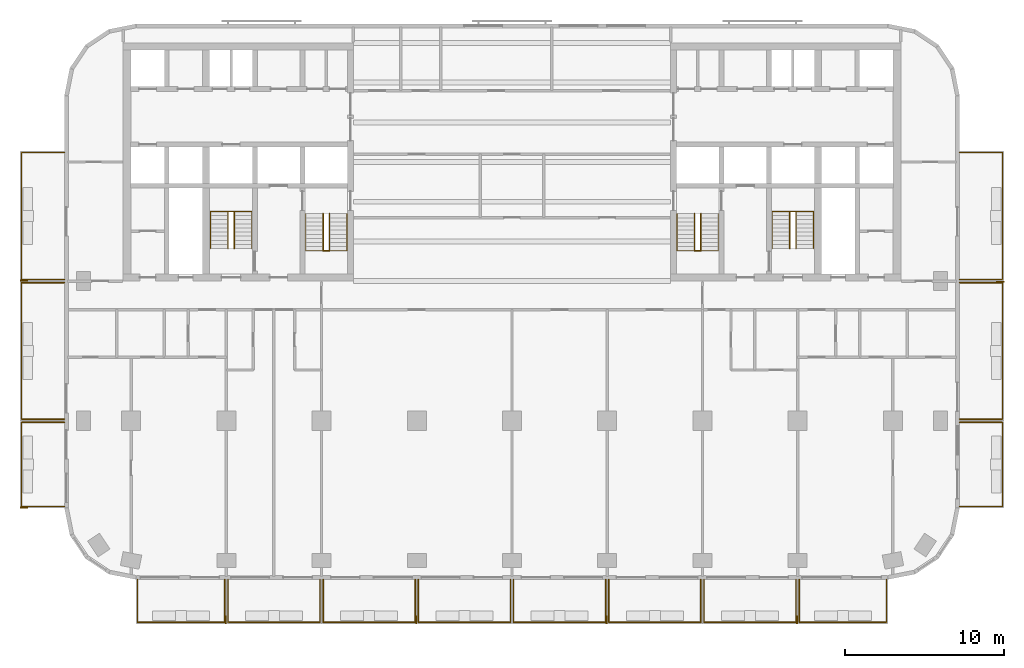
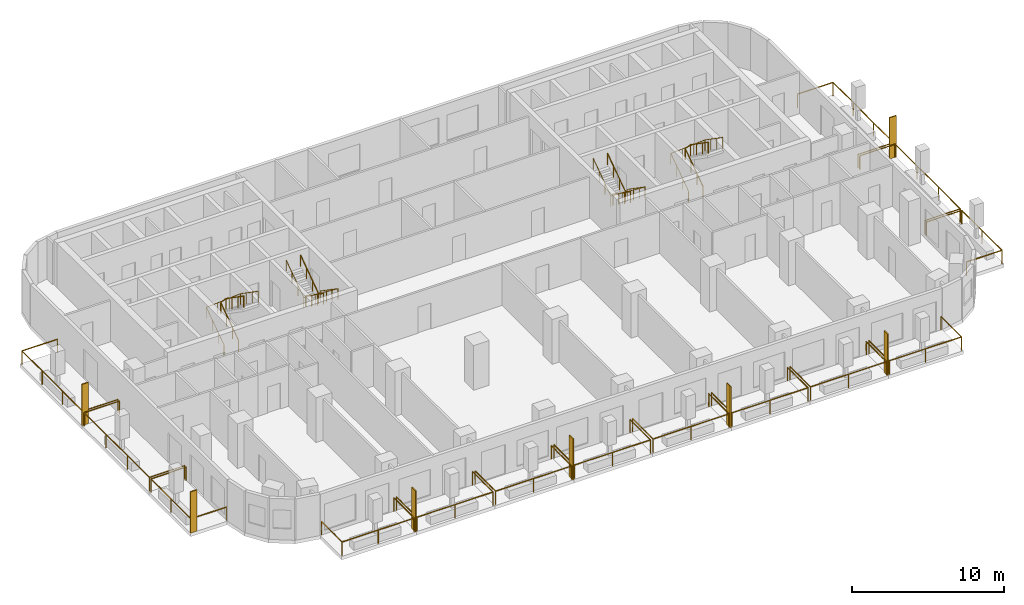
# One storey, part 9 of 11: 22 railings, 7 shading devices.
"""IFC4 building model written with IfcOpenShell, lengths in metres."""

from ifc_helpers import new_model, si_unit, direction, frame, origin, origin_2d, place, context, subcontext, project, spatial, rectangle, circle, extrude, material, layer, layer_set, type_object, element, save


model = new_model("IFC4")

# Units and contexts
model_context = context("Model", 3, precision=1e-05, world=origin(), true_north=direction((0.0, 1.0)))
body_context = subcontext(model_context, "Body", "Model", "MODEL_VIEW")
ifc_project = project(units=[si_unit("LENGTHUNIT", "METRE"), si_unit("AREAUNIT", "SQUARE_METRE"), si_unit("VOLUMEUNIT", "CUBIC_METRE"), si_unit("PLANEANGLEUNIT", "RADIAN"), si_unit("MASSUNIT", "GRAM", prefix="KILO")], contexts=[model_context])

# Site, building, storey
site_placement = place(None, origin())
site = spatial("IfcSite", under=ifc_project, at=site_placement, CompositionType="ELEMENT")
building_placement = place(site_placement, origin())
building = spatial("IfcBuilding", under=site, at=building_placement, Name="Torana Hotel and Residences", CompositionType="ELEMENT")
storey_placement = place(building_placement, frame((0.0, 0.0, 116.39990234375)))
storey = spatial("IfcBuildingStorey", under=building, at=storey_placement, Name="L29", CompositionType="ELEMENT", Elevation=116.39990234375)

# Shading devices
ifc_material_1 = material(Name="Black powder coated aluminium", Category="aluminium")
ifc_layer = layer(ifc_material_1, 0.080078125)
ifc_layer_set = layer_set([ifc_layer], Name="FN1 VERTICAL FIN 500x80")
shading_device_type = type_object("IfcShadingDeviceType", Name="FN1 VERTICAL FIN 500x80", PredefinedType="USERDEFINED", material=ifc_layer_set)
for number, where, z_axis, x_axis, name in (
    (1, (-18.0400390625, -36.35009765625, 0.0), (0.0, 0.0, 1.0), (-1.0, 0.0, 0.0), "Fin 01"),
    (2, (-6.0400390625, -36.35009765625, 0.0), (0.0, 0.0, 1.0), (-1.0, 0.0, 0.0), "Fin 03"),
    (3, (5.9599609375, -36.35009765625, 0.0), (0.0, 0.0, 1.0), (-1.0, 0.0, 0.0), "Fin 05"),
    (4, (17.9599609375, -36.35009765625, 0.0), (0.0, 0.0, 1.0), (-1.0, 0.0, 0.0), "Fin 07"),
    (5, (-30.75, -29.260009765625, 0.0), (0.0, 0.0, 1.0), (0.0, 1.0, 0.0), "Fin 09"),
    (6, (-30.75, -14.9599609375, 0.0), (0.0, 0.0, 1.0), (0.0, 1.0, 0.0), "Fin 11"),
    (7, (30.75, -15.0400390625, 0.0), (0.0, 0.0, 1.0), (0.0, -1.0, 0.0), "Fin 13"),
):
    element("IfcShadingDevice", number, at=place(storey_placement, frame(where, z_axis=z_axis, x_axis=x_axis)), inside=storey, type_object=shading_device_type, Name=name, ObjectType="FIN", PredefinedType="USERDEFINED", context=body_context, shape_type="SweptSolid", body=[
        extrude(rectangle(XDim=0.080078125, YDim=0.5, at=origin_2d()), origin(), (0.0, 0.0, 1.0), 3.320068359375),
    ])

# Railings
ifc_material_2 = material(Name="Laminated glass balustrade with black handrail", Category="glass")
railing_type_1 = type_object("IfcRailingType", Name="GR1 BALCONY GUARD 1100 GLASS", PredefinedType="GUARDRAIL", material=ifc_material_2)
railing_1_placement = place(storey_placement, frame((-18.10009765625, -33.800048828125, 0.0)))
element("IfcRailing", 8, at=railing_1_placement, inside=storey, type_object=railing_type_1, Name="Balcony guard 01", PredefinedType="GUARDRAIL", context=body_context, shape_type="SweptSolid", body=[
    extrude(circle(Radius=0.02392578125, at=origin_2d()), frame((0.0, 0.0, 1.076171875), z_axis=(0.0, -1.0, 0.0), x_axis=(1.0, 0.0, 0.0)), (0.0, 0.0, 1.0), 2.699951171875),
    extrude(circle(Radius=0.02392578125, at=origin_2d()), frame((0.0, -2.699951171875, 1.076171875), z_axis=(-1.0, 0.0, 0.0), x_axis=(0.0, -1.0, 0.0)), (0.0, 0.0, 1.0), 5.5),
    extrude(circle(Radius=0.02392578125, at=origin_2d()), frame((-5.5, -2.699951171875, 1.076171875), z_axis=(0.0, 1.0, 0.0), x_axis=(-1.0, 0.0, 0.0)), (0.0, 0.0, 1.0), 2.699951171875),
    extrude(circle(Radius=0.02099609375, at=origin_2d()), origin(), (0.0, 0.0, 1.0), 1.052001953125),
    extrude(circle(Radius=0.02099609375, at=origin_2d()), frame((0.0, -2.699951171875, 0.0)), (0.0, 0.0, 1.0), 1.052001953125),
    extrude(circle(Radius=0.02099609375, at=origin_2d()), frame((-2.75, -2.699951171875, 0.0)), (0.0, 0.0, 1.0), 1.052001953125),
    extrude(circle(Radius=0.02099609375, at=origin_2d()), frame((-5.5, -2.699951171875, 0.0)), (0.0, 0.0, 1.0), 1.052001953125),
    extrude(circle(Radius=0.02099609375, at=origin_2d()), frame((-5.5, 0.0, 0.0)), (0.0, 0.0, 1.0), 1.052001953125),
])
for number, where, name in (
    (9, (-12.10009765625, -33.800048828125, 0.0), "Balcony guard 02"),
    (10, (-6.10009765625, -33.800048828125, 0.0), "Balcony guard 03"),
    (11, (-0.10009765625, -33.800048828125, 0.0), "Balcony guard 04"),
    (12, (5.89990234375, -33.800048828125, 0.0), "Balcony guard 05"),
    (13, (11.89990234375, -33.800048828125, 0.0), "Balcony guard 06"),
    (14, (17.89990234375, -33.800048828125, 0.0), "Balcony guard 07"),
):
    element("IfcRailing", number, at=place(storey_placement, frame(where)), inside=storey, type_object=railing_type_1, Name=name, PredefinedType="GUARDRAIL", context=body_context, shape_type="SweptSolid", body=[
        extrude(circle(Radius=0.02392578125, at=origin_2d()), frame((0.0, 0.0, 1.076171875), z_axis=(0.0, -1.0, 0.0), x_axis=(1.0, 0.0, 0.0)), (0.0, 0.0, 1.0), 2.699951171875),
        extrude(circle(Radius=0.02392578125, at=origin_2d()), frame((0.0, -2.699951171875, 1.076171875), z_axis=(-1.0, 0.0, 0.0), x_axis=(0.0, -1.0, 0.0)), (0.0, 0.0, 1.0), 5.7998046875),
        extrude(circle(Radius=0.02392578125, at=origin_2d()), frame((-5.7998046875, -2.699951171875, 1.076171875), z_axis=(0.0, 1.0, 0.0), x_axis=(-1.0, 0.0, 0.0)), (0.0, 0.0, 1.0), 2.699951171875),
        extrude(circle(Radius=0.02099609375, at=origin_2d()), origin(), (0.0, 0.0, 1.0), 1.052001953125),
        extrude(circle(Radius=0.02099609375, at=origin_2d()), frame((0.0, -2.699951171875, 0.0)), (0.0, 0.0, 1.0), 1.052001953125),
        extrude(circle(Radius=0.02099609375, at=origin_2d()), frame((-2.89990234375, -2.699951171875, 0.0)), (0.0, 0.0, 1.0), 1.052001953125),
        extrude(circle(Radius=0.02099609375, at=origin_2d()), frame((-5.7998046875, -2.699951171875, 0.0)), (0.0, 0.0, 1.0), 1.052001953125),
        extrude(circle(Radius=0.02099609375, at=origin_2d()), frame((-5.7998046875, 0.0, 0.0)), (0.0, 0.0, 1.0), 1.052001953125),
    ])
railing_2_placement = place(storey_placement, frame((23.60009765625, -33.800048828125, 0.0)))
element("IfcRailing", 15, at=railing_2_placement, inside=storey, type_object=railing_type_1, Name="Balcony guard 08", PredefinedType="GUARDRAIL", context=body_context, shape_type="SweptSolid", body=[
    extrude(circle(Radius=0.02392578125, at=origin_2d()), frame((0.0, 0.0, 1.076171875), z_axis=(0.0, -1.0, 0.0), x_axis=(1.0, 0.0, 0.0)), (0.0, 0.0, 1.0), 2.699951171875),
    extrude(circle(Radius=0.02392578125, at=origin_2d()), frame((0.0, -2.699951171875, 1.076171875), z_axis=(-1.0, 0.0, 0.0), x_axis=(0.0, -1.0, 0.0)), (0.0, 0.0, 1.0), 5.5),
    extrude(circle(Radius=0.02392578125, at=origin_2d()), frame((-5.5, -2.699951171875, 1.076171875), z_axis=(0.0, 1.0, 0.0), x_axis=(-1.0, 0.0, 0.0)), (0.0, 0.0, 1.0), 2.699951171875),
    extrude(circle(Radius=0.02099609375, at=origin_2d()), origin(), (0.0, 0.0, 1.0), 1.052001953125),
    extrude(circle(Radius=0.02099609375, at=origin_2d()), frame((0.0, -2.699951171875, 0.0)), (0.0, 0.0, 1.0), 1.052001953125),
    extrude(circle(Radius=0.02099609375, at=origin_2d()), frame((-2.75, -2.699951171875, 0.0)), (0.0, 0.0, 1.0), 1.052001953125),
    extrude(circle(Radius=0.02099609375, at=origin_2d()), frame((-5.5, -2.699951171875, 0.0)), (0.0, 0.0, 1.0), 1.052001953125),
    extrude(circle(Radius=0.02099609375, at=origin_2d()), frame((-5.5, 0.0, 0.0)), (0.0, 0.0, 1.0), 1.052001953125),
])
railing_3_placement = place(storey_placement, frame((-28.199951171875, -29.199951171875, 0.0)))
element("IfcRailing", 16, at=railing_3_placement, inside=storey, type_object=railing_type_1, Name="Balcony guard 09", PredefinedType="GUARDRAIL", context=body_context, shape_type="SweptSolid", body=[
    extrude(circle(Radius=0.02392578125, at=origin_2d()), frame((0.0, 0.0, 1.076171875), z_axis=(-1.0, 0.0, 0.0), x_axis=(0.0, -1.0, 0.0)), (0.0, 0.0, 1.0), 2.699951171875),
    extrude(circle(Radius=0.02392578125, at=origin_2d()), frame((-2.699951171875, 0.0, 1.076171875), z_axis=(0.0, 1.0, 0.0), x_axis=(-1.0, 0.0, 0.0)), (0.0, 0.0, 1.0), 5.300048828125),
    extrude(circle(Radius=0.02392578125, at=origin_2d()), frame((-2.699951171875, 5.300048828125, 1.076171875), z_axis=(1.0, 0.0, 0.0), x_axis=(0.0, 1.0, 0.0)), (0.0, 0.0, 1.0), 2.699951171875),
    extrude(circle(Radius=0.02099609375, at=origin_2d()), origin(), (0.0, 0.0, 1.0), 1.052001953125),
    extrude(circle(Radius=0.02099609375, at=origin_2d()), frame((-2.699951171875, 0.0, 0.0)), (0.0, 0.0, 1.0), 1.052001953125),
    extrude(circle(Radius=0.02099609375, at=origin_2d()), frame((-2.699951171875, 2.64990234375, 0.0)), (0.0, 0.0, 1.0), 1.052001953125),
    extrude(circle(Radius=0.02099609375, at=origin_2d()), frame((-2.699951171875, 5.300048828125, 0.0)), (0.0, 0.0, 1.0), 1.052001953125),
    extrude(circle(Radius=0.02099609375, at=origin_2d()), frame((0.0, 5.300048828125, 0.0)), (0.0, 0.0, 1.0), 1.052001953125),
])
railing_4_placement = place(storey_placement, frame((-28.199951171875, -23.699951171875, 0.0)))
element("IfcRailing", 17, at=railing_4_placement, inside=storey, type_object=railing_type_1, Name="Balcony guard 10", PredefinedType="GUARDRAIL", context=body_context, shape_type="SweptSolid", body=[
    extrude(circle(Radius=0.02392578125, at=origin_2d()), frame((0.0, 0.0, 1.076171875), z_axis=(-1.0, 0.0, 0.0), x_axis=(0.0, -1.0, 0.0)), (0.0, 0.0, 1.0), 2.699951171875),
    extrude(circle(Radius=0.02392578125, at=origin_2d()), frame((-2.699951171875, 0.0, 1.076171875), z_axis=(0.0, 1.0, 0.0), x_axis=(-1.0, 0.0, 0.0)), (0.0, 0.0, 1.0), 8.599853515625),
    extrude(circle(Radius=0.02392578125, at=origin_2d()), frame((-2.699951171875, 8.599853515625, 1.076171875), z_axis=(1.0, 0.0, 0.0), x_axis=(0.0, 1.0, 0.0)), (0.0, 0.0, 1.0), 2.699951171875),
    extrude(circle(Radius=0.02099609375, at=origin_2d()), origin(), (0.0, 0.0, 1.0), 1.052001953125),
    extrude(circle(Radius=0.02099609375, at=origin_2d()), frame((-2.699951171875, 0.0, 0.0)), (0.0, 0.0, 1.0), 1.052001953125),
    extrude(circle(Radius=0.02099609375, at=origin_2d()), frame((-2.699951171875, 2.86669921875, 0.0)), (0.0, 0.0, 1.0), 1.052001953125),
    extrude(circle(Radius=0.02099609375, at=origin_2d()), frame((-2.699951171875, 5.733154296875, 0.0)), (0.0, 0.0, 1.0), 1.052001953125),
    extrude(circle(Radius=0.02099609375, at=origin_2d()), frame((-2.699951171875, 8.599853515625, 0.0)), (0.0, 0.0, 1.0), 1.052001953125),
    extrude(circle(Radius=0.02099609375, at=origin_2d()), frame((0.0, 8.599853515625, 0.0)), (0.0, 0.0, 1.0), 1.052001953125),
])
railing_5_placement = place(storey_placement, frame((-28.199951171875, -14.89990234375, 0.0)))
element("IfcRailing", 18, at=railing_5_placement, inside=storey, type_object=railing_type_1, Name="Balcony guard 11", PredefinedType="GUARDRAIL", context=body_context, shape_type="SweptSolid", body=[
    extrude(circle(Radius=0.02392578125, at=origin_2d()), frame((0.0, 0.0, 1.076171875), z_axis=(-1.0, 0.0, 0.0), x_axis=(0.0, -1.0, 0.0)), (0.0, 0.0, 1.0), 2.699951171875),
    extrude(circle(Radius=0.02392578125, at=origin_2d()), frame((-2.699951171875, 0.0, 1.076171875), z_axis=(0.0, 1.0, 0.0), x_axis=(-1.0, 0.0, 0.0)), (0.0, 0.0, 1.0), 8.0),
    extrude(circle(Radius=0.02392578125, at=origin_2d()), frame((-2.699951171875, 8.0, 1.076171875), z_axis=(1.0, 0.0, 0.0), x_axis=(0.0, 1.0, 0.0)), (0.0, 0.0, 1.0), 2.699951171875),
    extrude(circle(Radius=0.02099609375, at=origin_2d()), origin(), (0.0, 0.0, 1.0), 1.052001953125),
    extrude(circle(Radius=0.02099609375, at=origin_2d()), frame((-2.699951171875, 0.0, 0.0)), (0.0, 0.0, 1.0), 1.052001953125),
    extrude(circle(Radius=0.02099609375, at=origin_2d()), frame((-2.699951171875, 2.666748046875, 0.0)), (0.0, 0.0, 1.0), 1.052001953125),
    extrude(circle(Radius=0.02099609375, at=origin_2d()), frame((-2.699951171875, 5.333251953125, 0.0)), (0.0, 0.0, 1.0), 1.052001953125),
    extrude(circle(Radius=0.02099609375, at=origin_2d()), frame((-2.699951171875, 8.0, 0.0)), (0.0, 0.0, 1.0), 1.052001953125),
    extrude(circle(Radius=0.02099609375, at=origin_2d()), frame((0.0, 8.0, 0.0)), (0.0, 0.0, 1.0), 1.052001953125),
])
railing_6_placement = place(storey_placement, frame((28.199951171875, -23.89990234375, 0.0)))
element("IfcRailing", 19, at=railing_6_placement, inside=storey, type_object=railing_type_1, Name="Balcony guard 12", PredefinedType="GUARDRAIL", context=body_context, shape_type="SweptSolid", body=[
    extrude(circle(Radius=0.02392578125, at=origin_2d()), frame((0.0, 0.0, 1.076171875), z_axis=(1.0, 0.0, 0.0), x_axis=(0.0, 1.0, 0.0)), (0.0, 0.0, 1.0), 2.699951171875),
    extrude(circle(Radius=0.02392578125, at=origin_2d()), frame((2.699951171875, 0.0, 1.076171875), z_axis=(0.0, -1.0, 0.0), x_axis=(1.0, 0.0, 0.0)), (0.0, 0.0, 1.0), 5.300048828125),
    extrude(circle(Radius=0.02392578125, at=origin_2d()), frame((2.699951171875, -5.300048828125, 1.076171875), z_axis=(-1.0, 0.0, 0.0), x_axis=(0.0, -1.0, 0.0)), (0.0, 0.0, 1.0), 2.699951171875),
    extrude(circle(Radius=0.02099609375, at=origin_2d()), origin(), (0.0, 0.0, 1.0), 1.052001953125),
    extrude(circle(Radius=0.02099609375, at=origin_2d()), frame((2.699951171875, 0.0, 0.0)), (0.0, 0.0, 1.0), 1.052001953125),
    extrude(circle(Radius=0.02099609375, at=origin_2d()), frame((2.699951171875, -2.64990234375, 0.0)), (0.0, 0.0, 1.0), 1.052001953125),
    extrude(circle(Radius=0.02099609375, at=origin_2d()), frame((2.699951171875, -5.300048828125, 0.0)), (0.0, 0.0, 1.0), 1.052001953125),
    extrude(circle(Radius=0.02099609375, at=origin_2d()), frame((0.0, -5.300048828125, 0.0)), (0.0, 0.0, 1.0), 1.052001953125),
])
railing_7_placement = place(storey_placement, frame((28.199951171875, -15.10009765625, 0.0)))
element("IfcRailing", 20, at=railing_7_placement, inside=storey, type_object=railing_type_1, Name="Balcony guard 13", PredefinedType="GUARDRAIL", context=body_context, shape_type="SweptSolid", body=[
    extrude(circle(Radius=0.02392578125, at=origin_2d()), frame((0.0, 0.0, 1.076171875), z_axis=(1.0, 0.0, 0.0), x_axis=(0.0, 1.0, 0.0)), (0.0, 0.0, 1.0), 2.699951171875),
    extrude(circle(Radius=0.02392578125, at=origin_2d()), frame((2.699951171875, 0.0, 1.076171875), z_axis=(0.0, -1.0, 0.0), x_axis=(1.0, 0.0, 0.0)), (0.0, 0.0, 1.0), 8.599853515625),
    extrude(circle(Radius=0.02392578125, at=origin_2d()), frame((2.699951171875, -8.599853515625, 1.076171875), z_axis=(-1.0, 0.0, 0.0), x_axis=(0.0, -1.0, 0.0)), (0.0, 0.0, 1.0), 2.699951171875),
    extrude(circle(Radius=0.02099609375, at=origin_2d()), origin(), (0.0, 0.0, 1.0), 1.052001953125),
    extrude(circle(Radius=0.02099609375, at=origin_2d()), frame((2.699951171875, 0.0, 0.0)), (0.0, 0.0, 1.0), 1.052001953125),
    extrude(circle(Radius=0.02099609375, at=origin_2d()), frame((2.699951171875, -2.86669921875, 0.0)), (0.0, 0.0, 1.0), 1.052001953125),
    extrude(circle(Radius=0.02099609375, at=origin_2d()), frame((2.699951171875, -5.733154296875, 0.0)), (0.0, 0.0, 1.0), 1.052001953125),
    extrude(circle(Radius=0.02099609375, at=origin_2d()), frame((2.699951171875, -8.599853515625, 0.0)), (0.0, 0.0, 1.0), 1.052001953125),
    extrude(circle(Radius=0.02099609375, at=origin_2d()), frame((0.0, -8.599853515625, 0.0)), (0.0, 0.0, 1.0), 1.052001953125),
])
railing_8_placement = place(storey_placement, frame((28.199951171875, -6.89990234375, 0.0)))
element("IfcRailing", 21, at=railing_8_placement, inside=storey, type_object=railing_type_1, Name="Balcony guard 14", PredefinedType="GUARDRAIL", context=body_context, shape_type="SweptSolid", body=[
    extrude(circle(Radius=0.02392578125, at=origin_2d()), frame((0.0, 0.0, 1.076171875), z_axis=(1.0, 0.0, 0.0), x_axis=(0.0, 1.0, 0.0)), (0.0, 0.0, 1.0), 2.699951171875),
    extrude(circle(Radius=0.02392578125, at=origin_2d()), frame((2.699951171875, 0.0, 1.076171875), z_axis=(0.0, -1.0, 0.0), x_axis=(1.0, 0.0, 0.0)), (0.0, 0.0, 1.0), 8.0),
    extrude(circle(Radius=0.02392578125, at=origin_2d()), frame((2.699951171875, -8.0, 1.076171875), z_axis=(-1.0, 0.0, 0.0), x_axis=(0.0, -1.0, 0.0)), (0.0, 0.0, 1.0), 2.699951171875),
    extrude(circle(Radius=0.02099609375, at=origin_2d()), origin(), (0.0, 0.0, 1.0), 1.052001953125),
    extrude(circle(Radius=0.02099609375, at=origin_2d()), frame((2.699951171875, 0.0, 0.0)), (0.0, 0.0, 1.0), 1.052001953125),
    extrude(circle(Radius=0.02099609375, at=origin_2d()), frame((2.699951171875, -2.666748046875, 0.0)), (0.0, 0.0, 1.0), 1.052001953125),
    extrude(circle(Radius=0.02099609375, at=origin_2d()), frame((2.699951171875, -5.333251953125, 0.0)), (0.0, 0.0, 1.0), 1.052001953125),
    extrude(circle(Radius=0.02099609375, at=origin_2d()), frame((2.699951171875, -8.0, 0.0)), (0.0, 0.0, 1.0), 1.052001953125),
    extrude(circle(Radius=0.02099609375, at=origin_2d()), frame((0.0, -8.0, 0.0)), (0.0, 0.0, 1.0), 1.052001953125),
])
ifc_material_3 = material(Name="Stainless steel 316", Category="steel")
railing_type_2 = type_object("IfcRailingType", Name="STAIR HANDRAIL HR1 900", PredefinedType="HANDRAIL", material=ifc_material_3)
railing_9_placement = place(storey_placement, frame((-10.39990234375, -10.75, 0.18017578125)))
element("IfcRailing", 22, at=railing_9_placement, inside=storey, type_object=railing_type_2, Name="Handrail ST1 L29 O1", PredefinedType="HANDRAIL", context=body_context, shape_type="SweptSolid", body=[
    extrude(circle(Radius=0.02392578125, at=origin_2d()), frame((0.0, 0.0, 0.8759765625), z_axis=(0.0, -0.822223072051, 0.569165371211), x_axis=(1.0, 0.0, 0.0)), (0.0, 0.0, 1.0), 2.845947265625),
    extrude(circle(Radius=0.02392578125, at=origin_2d()), frame((0.0, -2.340087890625, 2.49560546875), z_axis=(-0.997614115953, 0.0, 0.069036770278), x_axis=(0.0, -1.0, 0.0)), (0.0, 0.0, 1.0), 2.606201171875),
    extrude(circle(Radius=0.02392578125, at=origin_2d()), frame((-2.60009765625, -2.340087890625, 2.67578125), z_axis=(0.0, 0.822182927502, 0.569223360136), x_axis=(-1.0, 0.0, 0.0)), (0.0, 0.0, 1.0), 2.84619140625),
    extrude(circle(Radius=0.02099609375, at=origin_2d()), origin(), (0.0, 0.0, 1.0), 0.851806640625),
    extrude(circle(Radius=0.02099609375, at=origin_2d()), frame((0.0, -0.780029296875, 0.5400390625)), (0.0, 0.0, 1.0), 0.851806640625),
    extrude(circle(Radius=0.02099609375, at=origin_2d()), frame((0.0, -1.56005859375, 1.079833984375)), (0.0, 0.0, 1.0), 0.851806640625),
    extrude(circle(Radius=0.02099609375, at=origin_2d()), frame((0.0, -2.340087890625, 1.619873046875)), (0.0, 0.0, 1.0), 0.851806640625),
    extrude(circle(Radius=0.02099609375, at=origin_2d()), frame((-0.86669921875, -2.340087890625, 1.679931640625)), (0.0, 0.0, 1.0), 0.851806640625),
    extrude(circle(Radius=0.02099609375, at=origin_2d()), frame((-1.7333984375, -2.340087890625, 1.73974609375)), (0.0, 0.0, 1.0), 0.851806640625),
    extrude(circle(Radius=0.02099609375, at=origin_2d()), frame((-2.60009765625, -2.340087890625, 1.7998046875)), (0.0, 0.0, 1.0), 0.851806640625),
    extrude(circle(Radius=0.02099609375, at=origin_2d()), frame((-2.60009765625, -1.56005859375, 2.33984375)), (0.0, 0.0, 1.0), 0.851806640625),
    extrude(circle(Radius=0.02099609375, at=origin_2d()), frame((-2.60009765625, -0.780029296875, 2.8798828125)), (0.0, 0.0, 1.0), 0.851806640625),
    extrude(circle(Radius=0.02099609375, at=origin_2d()), frame((-2.60009765625, 0.0, 3.419921875)), (0.0, 0.0, 1.0), 0.851806640625),
])
railing_10_placement = place(storey_placement, frame((-11.5, -10.75, 0.18017578125)))
element("IfcRailing", 23, at=railing_10_placement, inside=storey, type_object=railing_type_2, Name="Handrail ST1 L29 I1", PredefinedType="HANDRAIL", context=body_context, shape_type="SweptSolid", body=[
    extrude(circle(Radius=0.02392578125, at=origin_2d()), frame((0.0, 0.0, 0.8759765625), z_axis=(0.0, -0.822223072051, 0.569165371211), x_axis=(1.0, 0.0, 0.0)), (0.0, 0.0, 1.0), 2.845947265625),
    extrude(circle(Radius=0.02392578125, at=origin_2d()), frame((0.0, -2.340087890625, 2.49560546875), z_axis=(-0.911942338396, 0.0, 0.410318378143), x_axis=(0.0, -1.0, 0.0)), (0.0, 0.0, 1.0), 0.4384765625),
    extrude(circle(Radius=0.02392578125, at=origin_2d()), frame((-0.39990234375, -2.340087890625, 2.67578125), z_axis=(0.0, 0.822182927502, 0.569223360136), x_axis=(-1.0, 0.0, 0.0)), (0.0, 0.0, 1.0), 2.84619140625),
    extrude(circle(Radius=0.02099609375, at=origin_2d()), origin(), (0.0, 0.0, 1.0), 0.851806640625),
    extrude(circle(Radius=0.02099609375, at=origin_2d()), frame((0.0, -0.780029296875, 0.5400390625)), (0.0, 0.0, 1.0), 0.851806640625),
    extrude(circle(Radius=0.02099609375, at=origin_2d()), frame((0.0, -1.56005859375, 1.079833984375)), (0.0, 0.0, 1.0), 0.851806640625),
    extrude(circle(Radius=0.02099609375, at=origin_2d()), frame((0.0, -2.340087890625, 1.619873046875)), (0.0, 0.0, 1.0), 0.851806640625),
    extrude(circle(Radius=0.02099609375, at=origin_2d()), frame((-0.39990234375, -2.340087890625, 1.7998046875)), (0.0, 0.0, 1.0), 0.851806640625),
    extrude(circle(Radius=0.02099609375, at=origin_2d()), frame((-0.39990234375, -1.56005859375, 2.33984375)), (0.0, 0.0, 1.0), 0.851806640625),
    extrude(circle(Radius=0.02099609375, at=origin_2d()), frame((-0.39990234375, -0.780029296875, 2.8798828125)), (0.0, 0.0, 1.0), 0.851806640625),
    extrude(circle(Radius=0.02099609375, at=origin_2d()), frame((-0.39990234375, 0.0, 3.419921875)), (0.0, 0.0, 1.0), 0.851806640625),
])
railing_11_placement = place(storey_placement, frame((-19.0, -12.949951171875, 0.18017578125)))
element("IfcRailing", 24, at=railing_11_placement, inside=storey, type_object=railing_type_2, Name="Handrail ST2 L29 O1", PredefinedType="HANDRAIL", context=body_context, shape_type="SweptSolid", body=[
    extrude(circle(Radius=0.02392578125, at=origin_2d()), frame((0.0, 0.0, 0.8759765625), z_axis=(0.0, 0.822195280011, 0.569205517829), x_axis=(-1.0, 0.0, 0.0)), (0.0, 0.0, 1.0), 2.845947265625),
    extrude(circle(Radius=0.02392578125, at=origin_2d()), frame((0.0, 2.33984375, 2.49560546875), z_axis=(0.997614115953, 0.0, 0.069036770278), x_axis=(0.0, 1.0, 0.0)), (0.0, 0.0, 1.0), 2.606201171875),
    extrude(circle(Radius=0.02392578125, at=origin_2d()), frame((2.60009765625, 2.33984375, 2.67578125), z_axis=(0.0, -0.822155131156, 0.569263506923), x_axis=(1.0, 0.0, 0.0)), (0.0, 0.0, 1.0), 2.845947265625),
    extrude(circle(Radius=0.02099609375, at=origin_2d()), origin(), (0.0, 0.0, 1.0), 0.851806640625),
    extrude(circle(Radius=0.02099609375, at=origin_2d()), frame((0.0, 0.780029296875, 0.5400390625)), (0.0, 0.0, 1.0), 0.851806640625),
    extrude(circle(Radius=0.02099609375, at=origin_2d()), frame((0.0, 1.559814453125, 1.079833984375)), (0.0, 0.0, 1.0), 0.851806640625),
    extrude(circle(Radius=0.02099609375, at=origin_2d()), frame((0.0, 2.33984375, 1.619873046875)), (0.0, 0.0, 1.0), 0.851806640625),
    extrude(circle(Radius=0.02099609375, at=origin_2d()), frame((0.86669921875, 2.33984375, 1.679931640625)), (0.0, 0.0, 1.0), 0.851806640625),
    extrude(circle(Radius=0.02099609375, at=origin_2d()), frame((1.7333984375, 2.33984375, 1.73974609375)), (0.0, 0.0, 1.0), 0.851806640625),
    extrude(circle(Radius=0.02099609375, at=origin_2d()), frame((2.60009765625, 2.33984375, 1.7998046875)), (0.0, 0.0, 1.0), 0.851806640625),
    extrude(circle(Radius=0.02099609375, at=origin_2d()), frame((2.60009765625, 1.559814453125, 2.33984375)), (0.0, 0.0, 1.0), 0.851806640625),
    extrude(circle(Radius=0.02099609375, at=origin_2d()), frame((2.60009765625, 0.780029296875, 2.8798828125)), (0.0, 0.0, 1.0), 0.851806640625),
    extrude(circle(Radius=0.02099609375, at=origin_2d()), frame((2.60009765625, 0.0, 3.419921875)), (0.0, 0.0, 1.0), 0.851806640625),
])
railing_12_placement = place(storey_placement, frame((-17.89990234375, -12.949951171875, 0.18017578125)))
element("IfcRailing", 25, at=railing_12_placement, inside=storey, type_object=railing_type_2, Name="Handrail ST2 L29 I1", PredefinedType="HANDRAIL", context=body_context, shape_type="SweptSolid", body=[
    extrude(circle(Radius=0.02392578125, at=origin_2d()), frame((0.0, 0.0, 0.8759765625), z_axis=(0.0, 0.822195280011, 0.569205517829), x_axis=(-1.0, 0.0, 0.0)), (0.0, 0.0, 1.0), 2.845947265625),
    extrude(circle(Radius=0.02392578125, at=origin_2d()), frame((0.0, 2.33984375, 2.49560546875), z_axis=(0.911942338396, 0.0, 0.410318378143), x_axis=(0.0, 1.0, 0.0)), (0.0, 0.0, 1.0), 0.4384765625),
    extrude(circle(Radius=0.02392578125, at=origin_2d()), frame((0.39990234375, 2.33984375, 2.67578125), z_axis=(0.0, -0.822155131156, 0.569263506923), x_axis=(1.0, 0.0, 0.0)), (0.0, 0.0, 1.0), 2.845947265625),
    extrude(circle(Radius=0.02099609375, at=origin_2d()), origin(), (0.0, 0.0, 1.0), 0.851806640625),
    extrude(circle(Radius=0.02099609375, at=origin_2d()), frame((0.0, 0.780029296875, 0.5400390625)), (0.0, 0.0, 1.0), 0.851806640625),
    extrude(circle(Radius=0.02099609375, at=origin_2d()), frame((0.0, 1.559814453125, 1.079833984375)), (0.0, 0.0, 1.0), 0.851806640625),
    extrude(circle(Radius=0.02099609375, at=origin_2d()), frame((0.0, 2.33984375, 1.619873046875)), (0.0, 0.0, 1.0), 0.851806640625),
    extrude(circle(Radius=0.02099609375, at=origin_2d()), frame((0.39990234375, 2.33984375, 1.7998046875)), (0.0, 0.0, 1.0), 0.851806640625),
    extrude(circle(Radius=0.02099609375, at=origin_2d()), frame((0.39990234375, 1.559814453125, 2.33984375)), (0.0, 0.0, 1.0), 0.851806640625),
    extrude(circle(Radius=0.02099609375, at=origin_2d()), frame((0.39990234375, 0.780029296875, 2.8798828125)), (0.0, 0.0, 1.0), 0.851806640625),
    extrude(circle(Radius=0.02099609375, at=origin_2d()), frame((0.39990234375, 0.0, 3.419921875)), (0.0, 0.0, 1.0), 0.851806640625),
])
railing_13_placement = place(storey_placement, frame((13.0, -10.75, 0.18017578125)))
element("IfcRailing", 26, at=railing_13_placement, inside=storey, type_object=railing_type_2, Name="Handrail ST3 L29 O1", PredefinedType="HANDRAIL", context=body_context, shape_type="SweptSolid", body=[
    extrude(circle(Radius=0.02392578125, at=origin_2d()), frame((0.0, 0.0, 0.8759765625), z_axis=(0.0, -0.822223072051, 0.569165371211), x_axis=(1.0, 0.0, 0.0)), (0.0, 0.0, 1.0), 2.845947265625),
    extrude(circle(Radius=0.02392578125, at=origin_2d()), frame((0.0, -2.340087890625, 2.49560546875), z_axis=(-0.997614115953, 0.0, 0.069036770278), x_axis=(0.0, -1.0, 0.0)), (0.0, 0.0, 1.0), 2.606201171875),
    extrude(circle(Radius=0.02392578125, at=origin_2d()), frame((-2.60009765625, -2.340087890625, 2.67578125), z_axis=(0.0, 0.822182927502, 0.569223360136), x_axis=(-1.0, 0.0, 0.0)), (0.0, 0.0, 1.0), 2.84619140625),
    extrude(circle(Radius=0.02099609375, at=origin_2d()), origin(), (0.0, 0.0, 1.0), 0.851806640625),
    extrude(circle(Radius=0.02099609375, at=origin_2d()), frame((0.0, -0.780029296875, 0.5400390625)), (0.0, 0.0, 1.0), 0.851806640625),
    extrude(circle(Radius=0.02099609375, at=origin_2d()), frame((0.0, -1.56005859375, 1.079833984375)), (0.0, 0.0, 1.0), 0.851806640625),
    extrude(circle(Radius=0.02099609375, at=origin_2d()), frame((0.0, -2.340087890625, 1.619873046875)), (0.0, 0.0, 1.0), 0.851806640625),
    extrude(circle(Radius=0.02099609375, at=origin_2d()), frame((-0.86669921875, -2.340087890625, 1.679931640625)), (0.0, 0.0, 1.0), 0.851806640625),
    extrude(circle(Radius=0.02099609375, at=origin_2d()), frame((-1.7333984375, -2.340087890625, 1.73974609375)), (0.0, 0.0, 1.0), 0.851806640625),
    extrude(circle(Radius=0.02099609375, at=origin_2d()), frame((-2.60009765625, -2.340087890625, 1.7998046875)), (0.0, 0.0, 1.0), 0.851806640625),
    extrude(circle(Radius=0.02099609375, at=origin_2d()), frame((-2.60009765625, -1.56005859375, 2.33984375)), (0.0, 0.0, 1.0), 0.851806640625),
    extrude(circle(Radius=0.02099609375, at=origin_2d()), frame((-2.60009765625, -0.780029296875, 2.8798828125)), (0.0, 0.0, 1.0), 0.851806640625),
    extrude(circle(Radius=0.02099609375, at=origin_2d()), frame((-2.60009765625, 0.0, 3.419921875)), (0.0, 0.0, 1.0), 0.851806640625),
])
railing_14_placement = place(storey_placement, frame((11.89990234375, -10.75, 0.18017578125)))
element("IfcRailing", 27, at=railing_14_placement, inside=storey, type_object=railing_type_2, Name="Handrail ST3 L29 I1", PredefinedType="HANDRAIL", context=body_context, shape_type="SweptSolid", body=[
    extrude(circle(Radius=0.02392578125, at=origin_2d()), frame((0.0, 0.0, 0.8759765625), z_axis=(0.0, -0.822223072051, 0.569165371211), x_axis=(1.0, 0.0, 0.0)), (0.0, 0.0, 1.0), 2.845947265625),
    extrude(circle(Radius=0.02392578125, at=origin_2d()), frame((0.0, -2.340087890625, 2.49560546875), z_axis=(-0.911942338396, 0.0, 0.410318378143), x_axis=(0.0, -1.0, 0.0)), (0.0, 0.0, 1.0), 0.4384765625),
    extrude(circle(Radius=0.02392578125, at=origin_2d()), frame((-0.39990234375, -2.340087890625, 2.67578125), z_axis=(0.0, 0.822182927502, 0.569223360136), x_axis=(-1.0, 0.0, 0.0)), (0.0, 0.0, 1.0), 2.84619140625),
    extrude(circle(Radius=0.02099609375, at=origin_2d()), origin(), (0.0, 0.0, 1.0), 0.851806640625),
    extrude(circle(Radius=0.02099609375, at=origin_2d()), frame((0.0, -0.780029296875, 0.5400390625)), (0.0, 0.0, 1.0), 0.851806640625),
    extrude(circle(Radius=0.02099609375, at=origin_2d()), frame((0.0, -1.56005859375, 1.079833984375)), (0.0, 0.0, 1.0), 0.851806640625),
    extrude(circle(Radius=0.02099609375, at=origin_2d()), frame((0.0, -2.340087890625, 1.619873046875)), (0.0, 0.0, 1.0), 0.851806640625),
    extrude(circle(Radius=0.02099609375, at=origin_2d()), frame((-0.39990234375, -2.340087890625, 1.7998046875)), (0.0, 0.0, 1.0), 0.851806640625),
    extrude(circle(Radius=0.02099609375, at=origin_2d()), frame((-0.39990234375, -1.56005859375, 2.33984375)), (0.0, 0.0, 1.0), 0.851806640625),
    extrude(circle(Radius=0.02099609375, at=origin_2d()), frame((-0.39990234375, -0.780029296875, 2.8798828125)), (0.0, 0.0, 1.0), 0.851806640625),
    extrude(circle(Radius=0.02099609375, at=origin_2d()), frame((-0.39990234375, 0.0, 3.419921875)), (0.0, 0.0, 1.0), 0.851806640625),
])
railing_15_placement = place(storey_placement, frame((16.39990234375, -12.949951171875, 0.18017578125)))
element("IfcRailing", 28, at=railing_15_placement, inside=storey, type_object=railing_type_2, Name="Handrail ST4 L29 O1", PredefinedType="HANDRAIL", context=body_context, shape_type="SweptSolid", body=[
    extrude(circle(Radius=0.02392578125, at=origin_2d()), frame((0.0, 0.0, 0.8759765625), z_axis=(0.0, 0.822195280011, 0.569205517829), x_axis=(-1.0, 0.0, 0.0)), (0.0, 0.0, 1.0), 2.845947265625),
    extrude(circle(Radius=0.02392578125, at=origin_2d()), frame((0.0, 2.33984375, 2.49560546875), z_axis=(0.997614115953, 0.0, 0.069036770278), x_axis=(0.0, 1.0, 0.0)), (0.0, 0.0, 1.0), 2.606201171875),
    extrude(circle(Radius=0.02392578125, at=origin_2d()), frame((2.60009765625, 2.33984375, 2.67578125), z_axis=(0.0, -0.822155131156, 0.569263506923), x_axis=(1.0, 0.0, 0.0)), (0.0, 0.0, 1.0), 2.845947265625),
    extrude(circle(Radius=0.02099609375, at=origin_2d()), origin(), (0.0, 0.0, 1.0), 0.851806640625),
    extrude(circle(Radius=0.02099609375, at=origin_2d()), frame((0.0, 0.780029296875, 0.5400390625)), (0.0, 0.0, 1.0), 0.851806640625),
    extrude(circle(Radius=0.02099609375, at=origin_2d()), frame((0.0, 1.559814453125, 1.079833984375)), (0.0, 0.0, 1.0), 0.851806640625),
    extrude(circle(Radius=0.02099609375, at=origin_2d()), frame((0.0, 2.33984375, 1.619873046875)), (0.0, 0.0, 1.0), 0.851806640625),
    extrude(circle(Radius=0.02099609375, at=origin_2d()), frame((0.86669921875, 2.33984375, 1.679931640625)), (0.0, 0.0, 1.0), 0.851806640625),
    extrude(circle(Radius=0.02099609375, at=origin_2d()), frame((1.7333984375, 2.33984375, 1.73974609375)), (0.0, 0.0, 1.0), 0.851806640625),
    extrude(circle(Radius=0.02099609375, at=origin_2d()), frame((2.60009765625, 2.33984375, 1.7998046875)), (0.0, 0.0, 1.0), 0.851806640625),
    extrude(circle(Radius=0.02099609375, at=origin_2d()), frame((2.60009765625, 1.559814453125, 2.33984375)), (0.0, 0.0, 1.0), 0.851806640625),
    extrude(circle(Radius=0.02099609375, at=origin_2d()), frame((2.60009765625, 0.780029296875, 2.8798828125)), (0.0, 0.0, 1.0), 0.851806640625),
    extrude(circle(Radius=0.02099609375, at=origin_2d()), frame((2.60009765625, 0.0, 3.419921875)), (0.0, 0.0, 1.0), 0.851806640625),
])
railing_16_placement = place(storey_placement, frame((17.5, -12.949951171875, 0.18017578125)))
element("IfcRailing", 29, at=railing_16_placement, inside=storey, type_object=railing_type_2, Name="Handrail ST4 L29 I1", PredefinedType="HANDRAIL", context=body_context, shape_type="SweptSolid", body=[
    extrude(circle(Radius=0.02392578125, at=origin_2d()), frame((0.0, 0.0, 0.8759765625), z_axis=(0.0, 0.822195280011, 0.569205517829), x_axis=(-1.0, 0.0, 0.0)), (0.0, 0.0, 1.0), 2.845947265625),
    extrude(circle(Radius=0.02392578125, at=origin_2d()), frame((0.0, 2.33984375, 2.49560546875), z_axis=(0.911942338396, 0.0, 0.410318378143), x_axis=(0.0, 1.0, 0.0)), (0.0, 0.0, 1.0), 0.4384765625),
    extrude(circle(Radius=0.02392578125, at=origin_2d()), frame((0.39990234375, 2.33984375, 2.67578125), z_axis=(0.0, -0.822155131156, 0.569263506923), x_axis=(1.0, 0.0, 0.0)), (0.0, 0.0, 1.0), 2.845947265625),
    extrude(circle(Radius=0.02099609375, at=origin_2d()), origin(), (0.0, 0.0, 1.0), 0.851806640625),
    extrude(circle(Radius=0.02099609375, at=origin_2d()), frame((0.0, 0.780029296875, 0.5400390625)), (0.0, 0.0, 1.0), 0.851806640625),
    extrude(circle(Radius=0.02099609375, at=origin_2d()), frame((0.0, 1.559814453125, 1.079833984375)), (0.0, 0.0, 1.0), 0.851806640625),
    extrude(circle(Radius=0.02099609375, at=origin_2d()), frame((0.0, 2.33984375, 1.619873046875)), (0.0, 0.0, 1.0), 0.851806640625),
    extrude(circle(Radius=0.02099609375, at=origin_2d()), frame((0.39990234375, 2.33984375, 1.7998046875)), (0.0, 0.0, 1.0), 0.851806640625),
    extrude(circle(Radius=0.02099609375, at=origin_2d()), frame((0.39990234375, 1.559814453125, 2.33984375)), (0.0, 0.0, 1.0), 0.851806640625),
    extrude(circle(Radius=0.02099609375, at=origin_2d()), frame((0.39990234375, 0.780029296875, 2.8798828125)), (0.0, 0.0, 1.0), 0.851806640625),
    extrude(circle(Radius=0.02099609375, at=origin_2d()), frame((0.39990234375, 0.0, 3.419921875)), (0.0, 0.0, 1.0), 0.851806640625),
])

save(model, "model.ifc")
